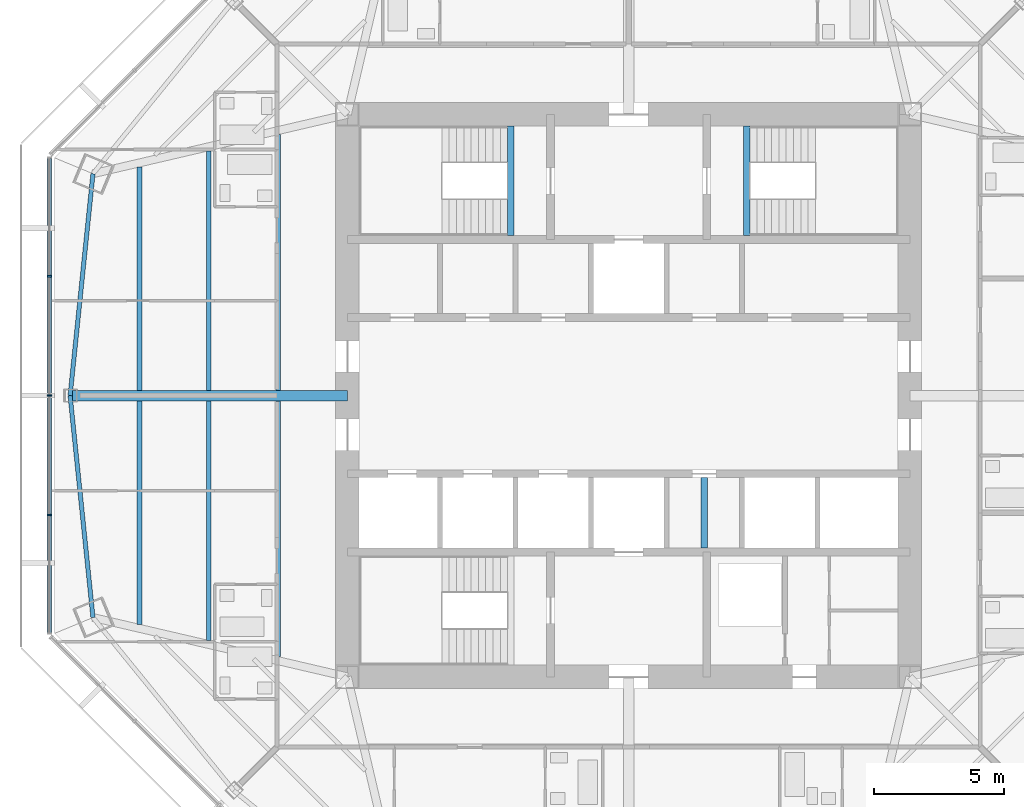
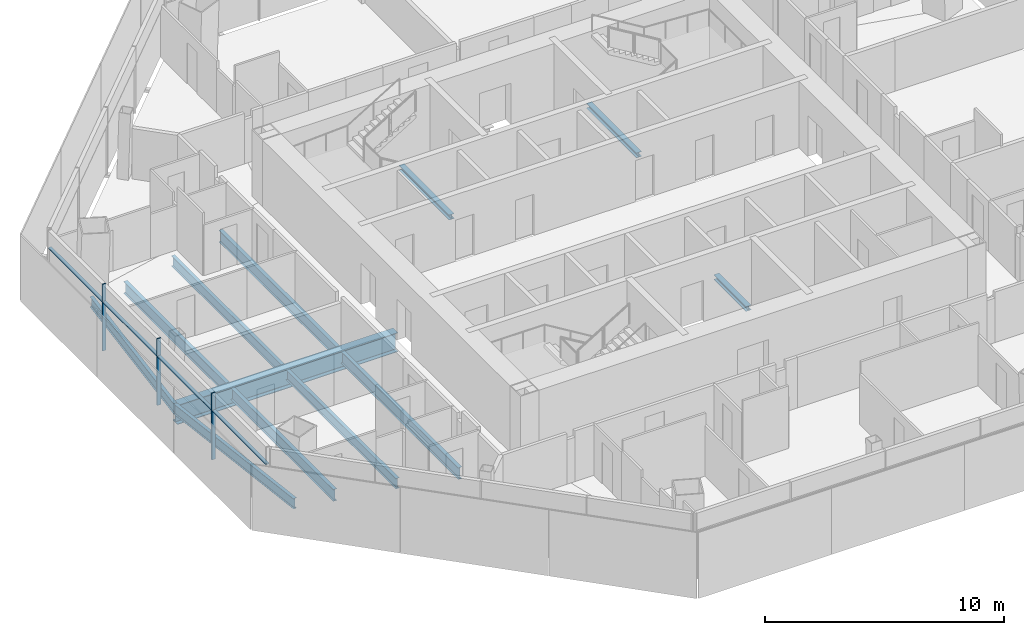
# One storey, part 3 of 15: 12 beams, 7 members, 1 element without a shape of its own.
"""IFC4 building model written with IfcOpenShell, lengths in metres."""

from ifc_helpers import new_model, si_unit, direction, frame, origin, origin_2d, place, context, subcontext, project, spatial, rectangle, i_section, extrude, source, transform, mapped, material, material_profile, profile_set, type_object, type_shapes, element, aggregate, save


model = new_model("IFC4")

# Units and contexts
model_context = context("Model", 3, precision=1e-05, world=origin(), true_north=direction((0.0, 1.0)))
body_context = subcontext(model_context, "Body", "Model", "MODEL_VIEW")
ifc_project = project(units=[si_unit("LENGTHUNIT", "METRE"), si_unit("AREAUNIT", "SQUARE_METRE"), si_unit("VOLUMEUNIT", "CUBIC_METRE"), si_unit("PLANEANGLEUNIT", "RADIAN"), si_unit("MASSUNIT", "GRAM", prefix="KILO")], contexts=[model_context])

# Site, building, storey
site_placement = place(None, origin())
site = spatial("IfcSite", under=ifc_project, at=site_placement, CompositionType="ELEMENT")
building_placement = place(site_placement, origin())
building = spatial("IfcBuilding", under=site, at=building_placement, Name="Mashrafa Tower", CompositionType="ELEMENT")
storey_placement = place(building_placement, frame((0.0, 0.0, 204.0)))
storey = spatial("IfcBuildingStorey", under=building, at=storey_placement, Name="L46", CompositionType="ELEMENT", Elevation=204.0)

# Beams
ifc_material_1 = material(Name="Steel ASTM A992", Category="steel")
ifc_material_profile_1 = material_profile(ifc_material_1, i_section(OverallWidth=0.1650390625, OverallDepth=0.52587890625, WebThickness=0.0087890625, FlangeThickness=0.011474609375, FilletRadius=0.0126953125, at=origin_2d()), Name="W21X44")
ifc_profile_set_1 = profile_set([ifc_material_profile_1], Name="Steel ASTM A992")
beam_type_1 = type_object("IfcBeamType", Name="Beam W21X44", PredefinedType="BEAM", material=ifc_profile_set_1)
for number, where, z_axis, x_axis, name in (
    (1, (-16.124755859375, -9.401611328125, -0.462890625), (0.0, 1.0, 0.0), (-1.0, 0.0, 0.0), "Floor beam L46 004"),
    (2, (-16.124755859375, 0.20068359375, -0.462890625), (0.0, 1.0, 0.0), (-1.0, 0.0, 0.0), "Floor beam L46 005"),
):
    element("IfcBeam", number, at=place(storey_placement, frame(where, z_axis=z_axis, x_axis=x_axis)), inside=storey, type_object=beam_type_1, Name=name, PredefinedType="BEAM", context=body_context, shape_type="SweptSolid", body=[
        extrude(i_section(OverallWidth=0.1650390625, OverallDepth=0.52587890625, WebThickness=0.0087890625, FlangeThickness=0.011474609375, FilletRadius=0.0126953125, at=origin_2d()), origin(), (0.0, 0.0, 1.0), 9.200927734375),
    ])
for number, where, z_axis, x_axis, name in (
    (3, (-21.449462890625, 0.0, -0.462890625), (0.102516999469, -0.99473125256, 0.0), (0.99473125256, 0.102516999469, 0.0), "Spandrel beam L46 057"),
    (4, (-20.5712890625, 8.52099609375, -0.462890625), (-0.102516999469, -0.99473125256, 0.0), (0.99473125256, -0.102516999469, 0.0), "Spandrel beam L46 059"),
):
    element("IfcBeam", number, at=place(storey_placement, frame(where, z_axis=z_axis, x_axis=x_axis)), inside=storey, type_object=beam_type_1, Name=name, PredefinedType="BEAM", context=body_context, shape_type="SweptSolid", body=[
        extrude(i_section(OverallWidth=0.1650390625, OverallDepth=0.52587890625, WebThickness=0.0087890625, FlangeThickness=0.011474609375, FilletRadius=0.0126953125, at=origin_2d()), origin(), (0.0, 0.0, 1.0), 8.566162109375),
    ])
ifc_material_2 = material(Name="Steel ASTM A992", Category="steel")
ifc_material_profile_2 = material_profile(ifc_material_2, i_section(OverallWidth=0.177978515625, OverallDepth=0.599365234375, WebThickness=0.010009765625, FlangeThickness=0.012939453125, FilletRadius=0.012939453125, at=origin_2d()), Name="W24X55")
ifc_profile_set_2 = profile_set([ifc_material_profile_2], Name="Steel ASTM A992")
beam_type_2 = type_object("IfcBeamType", Name="Beam W24X55", PredefinedType="BEAM", material=ifc_profile_set_2)
for number, where, z_axis, x_axis, name in (
    (5, (-18.787109375, -8.780517578125, -0.499755859375), (0.0, 1.0, 0.0), (-1.0, 0.0, 0.0), "Floor beam L46 001"),
    (6, (-18.787109375, 0.20068359375, -0.499755859375), (0.0, 1.0, 0.0), (-1.0, 0.0, 0.0), "Floor beam L46 002"),
):
    element("IfcBeam", number, at=place(storey_placement, frame(where, z_axis=z_axis, x_axis=x_axis)), inside=storey, type_object=beam_type_2, Name=name, PredefinedType="BEAM", context=body_context, shape_type="SweptSolid", body=[
        extrude(i_section(OverallWidth=0.177978515625, OverallDepth=0.599365234375, WebThickness=0.010009765625, FlangeThickness=0.012939453125, FilletRadius=0.012939453125, at=origin_2d()), origin(), (0.0, 0.0, 1.0), 8.579833984375),
    ])
for number, where, z_axis, x_axis, name in (
    (7, (-13.46240234375, -10.0224609375, -0.499755859375), (0.0, 1.0, 0.0), (-1.0, 0.0, 0.0), "Floor beam L46 009"),
    (8, (-13.46240234375, 0.20068359375, -0.499755859375), (0.0, 1.0, 0.0), (-1.0, 0.0, 0.0), "Floor beam L46 010"),
):
    element("IfcBeam", number, at=place(storey_placement, frame(where, z_axis=z_axis, x_axis=x_axis)), inside=storey, type_object=beam_type_2, Name=name, PredefinedType="BEAM", context=body_context, shape_type="SweptSolid", body=[
        extrude(i_section(OverallWidth=0.177978515625, OverallDepth=0.599365234375, WebThickness=0.010009765625, FlangeThickness=0.012939453125, FilletRadius=0.012939453125, at=origin_2d()), origin(), (0.0, 0.0, 1.0), 9.82177734375),
    ])
ifc_material_3 = material(Name="Steel ASTM A992", Category="steel")
ifc_material_profile_3 = material_profile(ifc_material_3, i_section(OverallWidth=0.4013671875, OverallDepth=0.98291015625, WebThickness=0.0166015625, FlangeThickness=0.027099609375, FilletRadius=0.0126953125, at=origin_2d()), Name="W40X199")
ifc_profile_set_3 = profile_set([ifc_material_profile_3], Name="Steel ASTM A992")
beam_type_3 = type_object("IfcBeamType", Name="Beam W40X199", PredefinedType="BEAM", material=ifc_profile_set_3)
beam_1_placement = place(storey_placement, frame((-10.800048828125, 0.0, -0.69140625), z_axis=(-1.0, 0.0, 0.0), x_axis=(0.0, -1.0, 0.0)))
element("IfcBeam", 9, at=beam_1_placement, inside=storey, type_object=beam_type_3, Name="Radial girder L46 044", PredefinedType="BEAM", context=body_context, shape_type="SweptSolid", body=[
    extrude(i_section(OverallWidth=0.4013671875, OverallDepth=0.98291015625, WebThickness=0.0166015625, FlangeThickness=0.027099609375, FilletRadius=0.0126953125, at=origin_2d()), origin(), (0.0, 0.0, 1.0), 10.6494140625),
])
ifc_material_4 = material(Name="Steel ASTM A992", Category="steel")
ifc_material_profile_4 = material_profile(ifc_material_4, i_section(OverallWidth=0.25390625, OverallDepth=0.25390625, WebThickness=0.008544921875, FlangeThickness=0.01416015625, FilletRadius=0.010009765625, at=origin_2d()), Name="W10X49")
ifc_profile_set_4 = profile_set([ifc_material_profile_4], Name="Steel ASTM A992")
beam_type_4 = type_object("IfcBeamType", Name="Hoistway beam W10X49", PredefinedType="BEAM", material=ifc_profile_set_4)
beam_2_placement = place(storey_placement, frame((2.89990234375, -5.85009765625, -0.326904296875), z_axis=(0.0, 1.0, 0.0), x_axis=(-1.0, 0.0, 0.0)))
element("IfcBeam", 10, at=beam_2_placement, inside=storey, type_object=beam_type_4, Name="Hoistway beam L46 07", PredefinedType="BEAM", context=body_context, shape_type="SweptSolid", body=[
    extrude(i_section(OverallWidth=0.25390625, OverallDepth=0.25390625, WebThickness=0.008544921875, FlangeThickness=0.01416015625, FilletRadius=0.010009765625, at=origin_2d()), origin(), (0.0, 0.0, 1.0), 2.7001953125),
])
for number, where, z_axis, x_axis, name in (
    (11, (-4.530029296875, 6.14990234375, -0.326904296875), (0.0, 1.0, 0.0), (-1.0, 0.0, 0.0), "Stair S1 landing beam L46"),
    (12, (4.530029296875, 6.14990234375, -0.326904296875), (0.0, 1.0, 0.0), (-1.0, 0.0, 0.0), "Stair S2 landing beam L46"),
):
    element("IfcBeam", number, at=place(storey_placement, frame(where, z_axis=z_axis, x_axis=x_axis)), inside=storey, type_object=beam_type_4, Name=name, PredefinedType="BEAM", context=body_context, shape_type="SweptSolid", body=[
        extrude(i_section(OverallWidth=0.25390625, OverallDepth=0.25390625, WebThickness=0.008544921875, FlangeThickness=0.01416015625, FilletRadius=0.010009765625, at=origin_2d()), origin(), (0.0, 0.0, 1.0), 4.2001953125),
    ])

# Curtain wall, members
ifc_material_5 = material(Name="Unitised aluminium curtain wall", Category="aluminium")
curtain_wall_type = type_object("IfcCurtainWallType", Name="Apartment curtain wall, zone 3 CW-C 180 deep", PredefinedType="NOTDEFINED", material=ifc_material_5)
curtain_wall_placement = place(storey_placement, origin())
curtain_wall = element("IfcCurtainWall", 13, at=curtain_wall_placement, inside=storey, type_object=curtain_wall_type, Name="Apartment curtain wall, zone 3 L46 west", PredefinedType="NOTDEFINED")
ifc_material_6 = material(Name="Extruded aluminium mullion", Category="aluminium")
ifc_material_profile_5 = material_profile(ifc_material_6, rectangle(XDim=0.179931640625, YDim=0.06005859375, at=origin_2d()), Name="Mullion 60x180")
ifc_profile_set_5 = profile_set([ifc_material_profile_5], Name="Extruded aluminium mullion")
member_type_1 = type_object("IfcMemberType", Name="Mullion CW-C 60 x 180", PredefinedType="MULLION", material=ifc_profile_set_5)
shared_shape_1 = source(origin(), body_context, "Body", "SweptSolid", [
    extrude(rectangle(XDim=0.179931640625, YDim=0.06005859375, at=origin_2d()), origin(), (0.0, 0.0, 1.0), 3.39990234375),
])
type_shapes(member_type_1, [shared_shape_1])
member_1_placement = place(storey_placement, frame((-22.243896484375, 4.583251953125, 0.0), z_axis=(0.0, 0.0, 1.0), x_axis=(1.0, 0.0, 0.0)))
member_1 = element("IfcMember", 14, at=member_1_placement, type_object=member_type_1, Name="CW-C mullion 2", PredefinedType="MULLION", context=body_context, shape_type="MappedRepresentation", body=[
    mapped(shared_shape_1, transform((0.0, 0.0, 0.0))),
])
member_2_placement = place(storey_placement, frame((-22.243896484375, 0.0, 0.0), z_axis=(0.0, 0.0, 1.0), x_axis=(1.0, 0.0, 0.0)))
member_2 = element("IfcMember", 15, at=member_2_placement, type_object=member_type_1, Name="CW-C mullion 3", PredefinedType="MULLION", context=body_context, shape_type="MappedRepresentation", body=[
    mapped(shared_shape_1, transform((0.0, 0.0, 0.0))),
])
member_3_placement = place(storey_placement, frame((-22.243896484375, -4.583251953125, 0.0), z_axis=(0.0, 0.0, 1.0), x_axis=(1.0, 0.0, 0.0)))
member_3 = element("IfcMember", 16, at=member_3_placement, type_object=member_type_1, Name="CW-C mullion 4", PredefinedType="MULLION", context=body_context, shape_type="MappedRepresentation", body=[
    mapped(shared_shape_1, transform((0.0, 0.0, 0.0))),
])
ifc_material_7 = material(Name="Extruded aluminium transom", Category="aluminium")
ifc_material_profile_6 = material_profile(ifc_material_7, rectangle(XDim=0.14404296875, YDim=0.074951171875, at=origin_2d()), Name="Transom 75x144")
ifc_profile_set_6 = profile_set([ifc_material_profile_6], Name="Extruded aluminium transom")
member_type_2 = type_object("IfcMemberType", Name="Transom CW-C 75 x 144", PredefinedType="MULLION", material=ifc_profile_set_6)
shared_shape_2 = source(origin(), body_context, "Body", "SweptSolid", [
    extrude(rectangle(XDim=0.14404296875, YDim=0.074951171875, at=origin_2d()), origin(), (0.0, 0.0, 1.0), 4.4931640625),
])
member_4_placement = place(storey_placement, frame((-22.243896484375, 9.1064453125, 2.5), z_axis=(0.0, -1.0, 0.0), x_axis=(1.0, 0.0, 0.0)))
member_4 = element("IfcMember", 17, at=member_4_placement, type_object=member_type_2, Name="CW-C transom 1", PredefinedType="MULLION", context=body_context, shape_type="MappedRepresentation", body=[
    mapped(shared_shape_2, transform((0.0, 0.0, 0.0))),
])
member_5_placement = place(storey_placement, frame((-22.243896484375, -4.61328125, 2.5), z_axis=(0.0, -1.0, 0.0), x_axis=(1.0, 0.0, 0.0)))
member_5 = element("IfcMember", 18, at=member_5_placement, type_object=member_type_2, Name="CW-C transom 4", PredefinedType="MULLION", context=body_context, shape_type="MappedRepresentation", body=[
    mapped(shared_shape_2, transform((0.0, 0.0, 0.0))),
])
shared_shape_3 = source(origin(), body_context, "Body", "SweptSolid", [
    extrude(rectangle(XDim=0.14404296875, YDim=0.074951171875, at=origin_2d()), origin(), (0.0, 0.0, 1.0), 4.523193359375),
])
type_shapes(member_type_2, [shared_shape_2, shared_shape_3])
member_6_placement = place(storey_placement, frame((-22.243896484375, 4.55322265625, 2.5), z_axis=(0.0, -1.0, 0.0), x_axis=(1.0, 0.0, 0.0)))
member_6 = element("IfcMember", 19, at=member_6_placement, type_object=member_type_2, Name="CW-C transom 2", PredefinedType="MULLION", context=body_context, shape_type="MappedRepresentation", body=[
    mapped(shared_shape_3, transform((0.0, 0.0, 0.0))),
])
member_7_placement = place(storey_placement, frame((-22.243896484375, -0.030029296875, 2.5), z_axis=(0.0, -1.0, 0.0), x_axis=(1.0, 0.0, 0.0)))
member_7 = element("IfcMember", 20, at=member_7_placement, type_object=member_type_2, Name="CW-C transom 3", PredefinedType="MULLION", context=body_context, shape_type="MappedRepresentation", body=[
    mapped(shared_shape_3, transform((0.0, 0.0, 0.0))),
])
aggregate(curtain_wall, [member_1, member_2, member_3, member_4, member_6, member_7, member_5])

save(model, "model.ifc")
